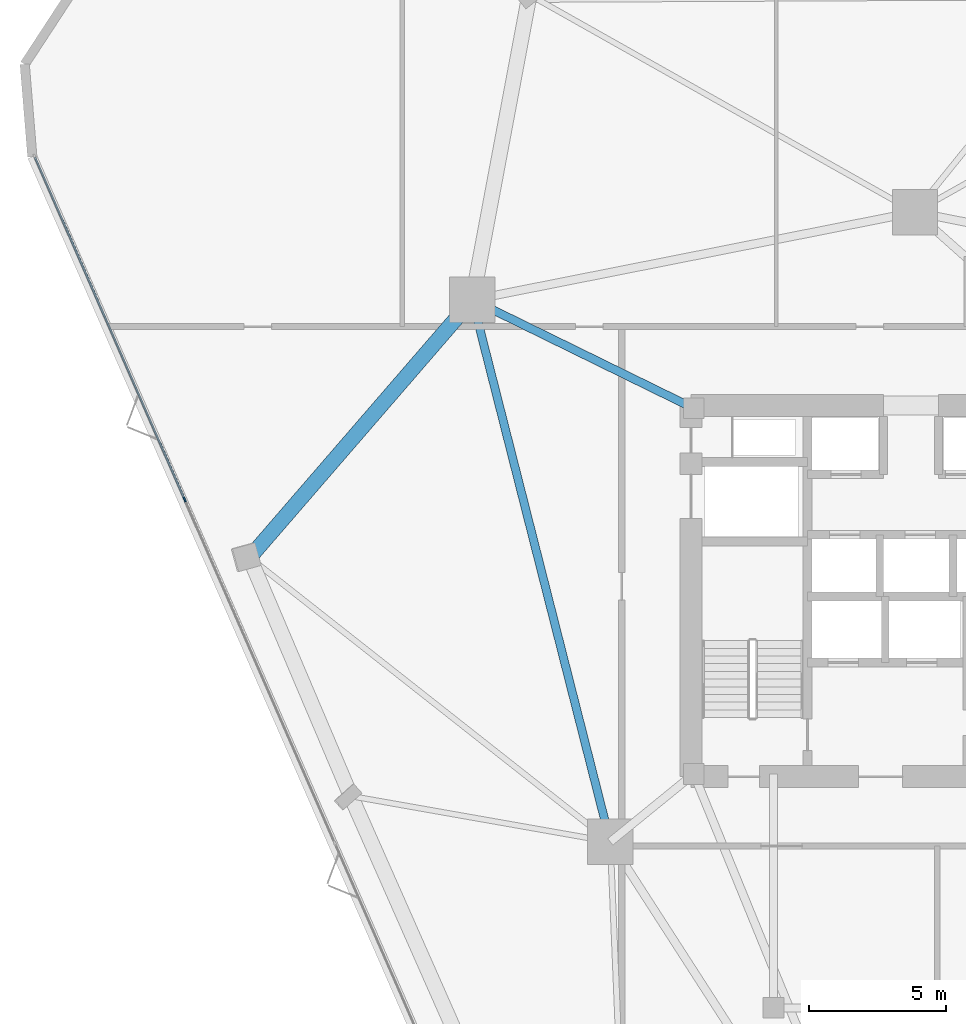
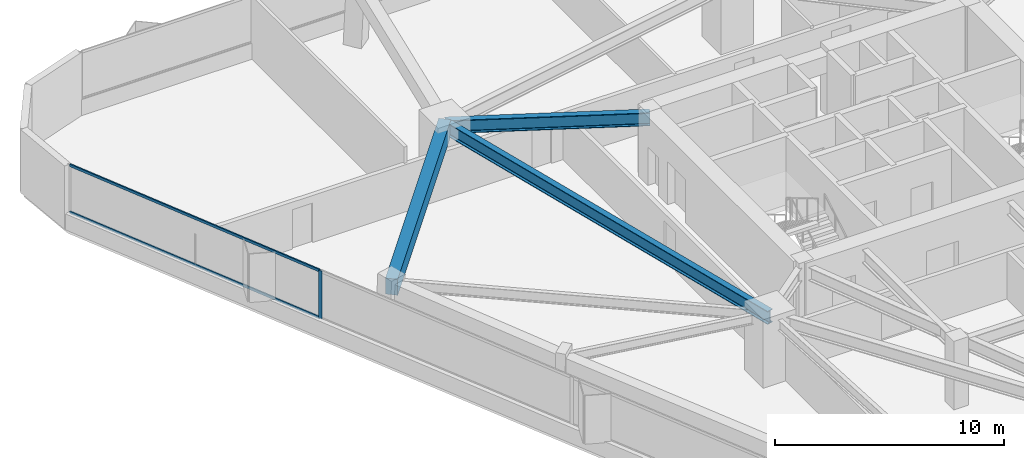
# One storey, part 8 of 20: 3 beams, 3 members, 1 element without a shape of its own.
"""IFC4 building model written with IfcOpenShell, lengths in metres."""

from ifc_helpers import new_model, si_unit, direction, frame, origin, origin_2d, place, context, subcontext, project, spatial, rectangle, i_section, extrude, material, layer, layer_set, material_profile, profile_set, type_object, element, aggregate, save


model = new_model("IFC4")

# Units and contexts
model_context = context("Model", 3, precision=1e-05, world=origin(), true_north=direction((0.0, 1.0)))
body_context = subcontext(model_context, "Body", "Model", "MODEL_VIEW")
ifc_project = project(units=[si_unit("LENGTHUNIT", "METRE"), si_unit("AREAUNIT", "SQUARE_METRE"), si_unit("VOLUMEUNIT", "CUBIC_METRE"), si_unit("PLANEANGLEUNIT", "RADIAN"), si_unit("MASSUNIT", "GRAM", prefix="KILO")], contexts=[model_context])

# Site, building, storey
site_placement = place(None, origin())
site = spatial("IfcSite", under=ifc_project, at=site_placement, CompositionType="ELEMENT")
building_placement = place(site_placement, origin())
building = spatial("IfcBuilding", under=site, at=building_placement, Name="Talyreon Biosciences Tower", CompositionType="ELEMENT")
storey_placement = place(building_placement, frame((0.0, 0.0, 75.0)))
storey = spatial("IfcBuildingStorey", under=building, at=storey_placement, Name="L19", CompositionType="ELEMENT", Elevation=75.0)

# Curtain wall, members
ifc_material_1 = material(Name="Thermally broken aluminium and low-E glazing", Category="aluminium")
ifc_layer = layer(ifc_material_1, 0.18994140625)
ifc_layer_set = layer_set([ifc_layer], Name="Thermally broken aluminium and low-E glazing")
curtain_wall_type = type_object("IfcCurtainWallType", Name="CurtainWall_Zone2Genomics", PredefinedType="NOTDEFINED", material=ifc_layer_set)
curtain_wall_placement = place(storey_placement, origin())
curtain_wall = element("IfcCurtainWall", 1, at=curtain_wall_placement, inside=storey, type_object=curtain_wall_type, Name="L19 Unitised Curtain Wall FCW-L19-00", PredefinedType="NOTDEFINED")
ifc_material_2 = material(Name="Anodised thermally broken aluminium", Category="aluminium")
ifc_material_profile_1 = material_profile(ifc_material_2, rectangle(XDim=0.06494140625, YDim=0.179931640625, at=origin_2d()), Name="ALUM MULLION 65x180")
ifc_profile_set_1 = profile_set([ifc_material_profile_1], Name="Anodised thermally broken aluminium")
member_type_1 = type_object("IfcMemberType", Name="CWMullion_65x180", PredefinedType="MULLION", material=ifc_profile_set_1)
member_1_placement = place(storey_placement, frame((39.42919921875, 71.33251953125, 0.81005859375), z_axis=(0.0, 0.0, 1.0), x_axis=(-0.916151953082, -0.400831135099, 0.0)))
member_1 = element("IfcMember", 2, at=member_1_placement, type_object=member_type_1, Name="CW3 mullion 5", PredefinedType="MULLION", context=body_context, shape_type="SweptSolid", body=[
    extrude(rectangle(XDim=0.06494140625, YDim=0.179931640625, at=origin_2d()), origin(), (0.0, 0.0, 1.0), 2.56494140625),
])
ifc_material_profile_2 = material_profile(ifc_material_2, rectangle(XDim=0.06494140625, YDim=0.139892578125, at=origin_2d()), Name="ALUM TRANSOM 65x140")
ifc_profile_set_2 = profile_set([ifc_material_profile_2], Name="Anodised thermally broken aluminium")
member_type_2 = type_object("IfcMemberType", Name="CWTransom_65x140", PredefinedType="USERDEFINED", material=ifc_profile_set_2)
member_2_placement = place(storey_placement, frame((39.416259765625, 71.362060546875, 0.842529296875), z_axis=(-0.400830177027, 0.916152372253, 0.0), x_axis=(-0.916152372253, -0.400830177027, 0.0)))
member_2 = element("IfcMember", 3, at=member_2_placement, type_object=member_type_2, Name="CW3 transom 5.1", ObjectType="TRANSOM", PredefinedType="USERDEFINED", context=body_context, shape_type="SweptSolid", body=[
    extrude(rectangle(XDim=0.06494140625, YDim=0.139892578125, at=origin_2d()), origin(), (0.0, 0.0, 1.0), 13.549072265625),
])
member_3_placement = place(storey_placement, frame((39.416259765625, 71.362060546875, 3.342529296875), z_axis=(-0.400830177027, 0.916152372253, 0.0), x_axis=(-0.916152372253, -0.400830177027, 0.0)))
member_3 = element("IfcMember", 4, at=member_3_placement, type_object=member_type_2, Name="CW3 transom 5.2", ObjectType="TRANSOM", PredefinedType="USERDEFINED", context=body_context, shape_type="SweptSolid", body=[
    extrude(rectangle(XDim=0.06494140625, YDim=0.139892578125, at=origin_2d()), origin(), (0.0, 0.0, 1.0), 13.549072265625),
])
aggregate(curtain_wall, [member_1, member_2, member_3])

# Beams
ifc_material_3 = material(Name="Precast concrete C45/55", Category="concrete")
ifc_material_profile_3 = material_profile(ifc_material_3, rectangle(XDim=0.550048828125, YDim=0.85009765625, at=origin_2d()), Name="RCB 550x850")
ifc_profile_set_3 = profile_set([ifc_material_profile_3], Name="Precast concrete C45/55")
beam_type_1 = type_object("IfcBeamType", Name="ExpressedSpandrel_550x850", PredefinedType="SPANDREL", material=ifc_profile_set_3)
beam_1_placement = place(storey_placement, frame((49.897705078125, 78.5986328125, 2.949951171875), z_axis=(-0.653967403907, -0.756522725784, 0.0), x_axis=(0.756522725784, -0.653967403907, 0.0)))
element("IfcBeam", 5, at=beam_1_placement, inside=storey, type_object=beam_type_1, Name="L19 Expressed Horizontal Concrete Spandrel 09", PredefinedType="SPANDREL", context=body_context, shape_type="SweptSolid", body=[
    extrude(rectangle(XDim=0.550048828125, YDim=0.85009765625, at=origin_2d()), origin(), (0.0, 0.0, 1.0), 12.39794921875),
])
ifc_material_4 = material(Name="Steel SM355", Category="steel")
ifc_material_profile_4 = material_profile(ifc_material_4, i_section(OverallWidth=0.300048828125, OverallDepth=0.699951171875, WebThickness=0.01708984375, FlangeThickness=0.031982421875, FilletRadius=0.027099609375, at=origin_2d()), Name="HE700B")
ifc_profile_set_4 = profile_set([ifc_material_profile_4], Name="Steel SM355")
beam_type_2 = type_object("IfcBeamType", Name="SteelGirder_HE700B", PredefinedType="BEAM", material=ifc_profile_set_4)
beam_2_placement = place(storey_placement, frame((49.897705078125, 78.5986328125, 3.02490234375), z_axis=(0.246537082299, -0.969133358755, 0.0), x_axis=(0.969133358755, 0.246537082299, 0.0)))
element("IfcBeam", 6, at=beam_2_placement, inside=storey, type_object=beam_type_2, Name="L19 Mega-Ring Girder 5", PredefinedType="BEAM", context=body_context, shape_type="SweptSolid", body=[
    extrude(i_section(OverallWidth=0.300048828125, OverallDepth=0.699951171875, WebThickness=0.01708984375, FlangeThickness=0.031982421875, FilletRadius=0.027099609375, at=origin_2d()), origin(), (0.0, 0.0, 1.0), 20.34619140625),
])
beam_3_placement = place(storey_placement, frame((57.949951171875, 74.64990234375, 3.02490234375), z_axis=(-0.897852360314, 0.440296648952, 0.0), x_axis=(-0.440296648952, -0.897852360314, 0.0)))
element("IfcBeam", 7, at=beam_3_placement, inside=storey, type_object=beam_type_2, Name="L19 Radial Primary Girder 5", PredefinedType="BEAM", context=body_context, shape_type="SweptSolid", body=[
    extrude(i_section(OverallWidth=0.300048828125, OverallDepth=0.699951171875, WebThickness=0.01708984375, FlangeThickness=0.031982421875, FilletRadius=0.027099609375, at=origin_2d()), origin(), (0.0, 0.0, 1.0), 8.96826171875),
])

save(model, "model.ifc")
